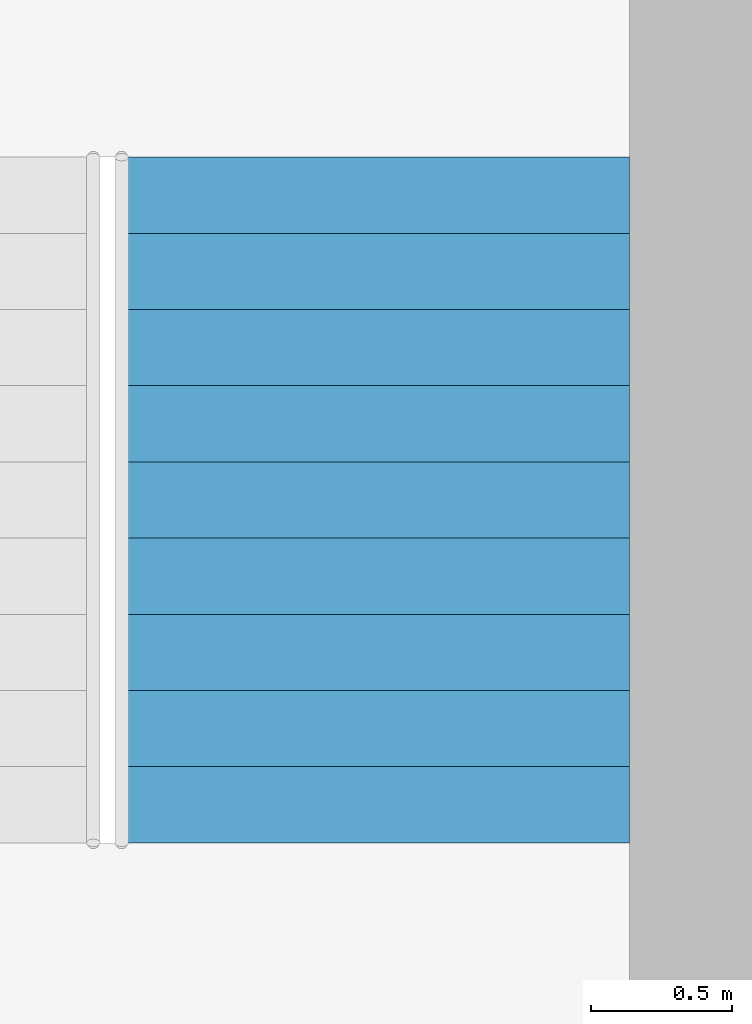
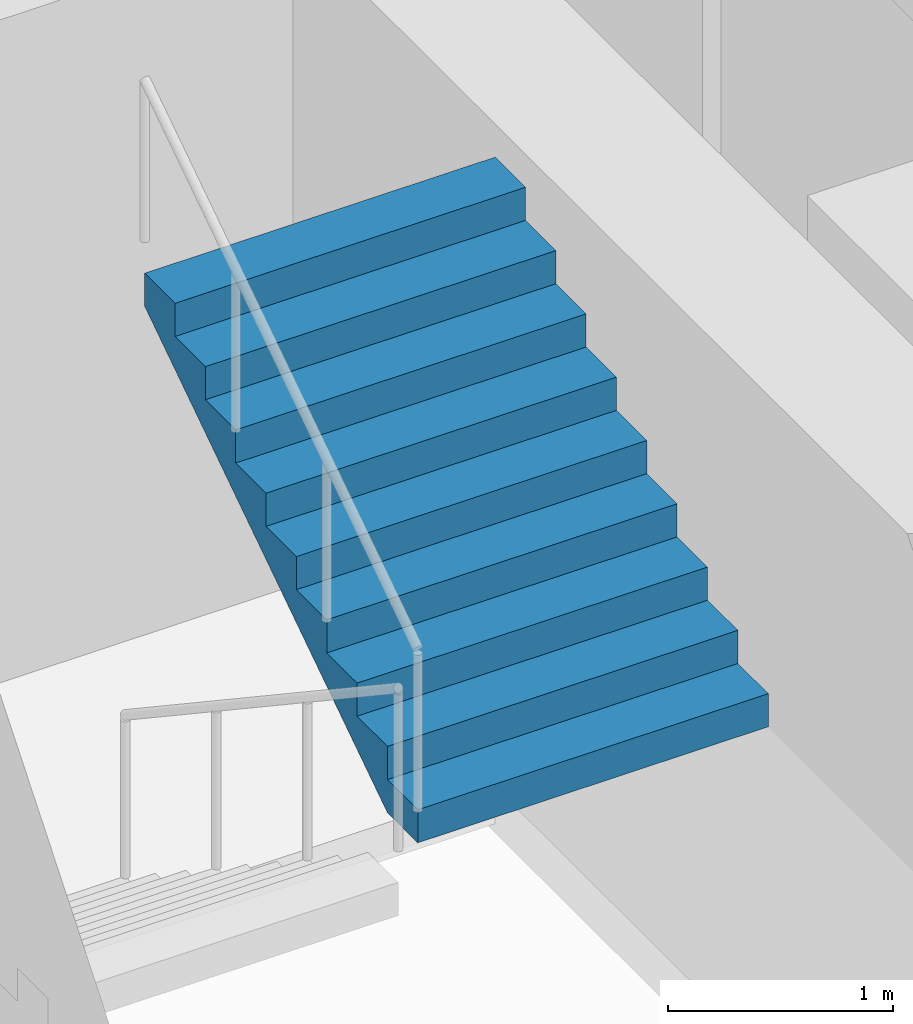
# One storey, part 20 of 21: 1 stair flight, 1 element without a shape of its own.
"""IFC4 building model written with IfcOpenShell, lengths in metres."""

from ifc_helpers import new_model, si_unit, direction, frame, origin, place, context, subcontext, project, spatial, polyline, outline, extrude, material, type_object, element, aggregate, save


model = new_model("IFC4")

# Units and contexts
model_context = context("Model", 3, precision=1e-05, world=origin(), true_north=direction((0.0, 1.0)))
body_context = subcontext(model_context, "Body", "Model", "MODEL_VIEW")
ifc_project = project(units=[si_unit("LENGTHUNIT", "METRE"), si_unit("AREAUNIT", "SQUARE_METRE"), si_unit("VOLUMEUNIT", "CUBIC_METRE"), si_unit("PLANEANGLEUNIT", "RADIAN"), si_unit("MASSUNIT", "GRAM", prefix="KILO")], contexts=[model_context])

# Site, building, storey
site_placement = place(None, origin())
site = spatial("IfcSite", under=ifc_project, at=site_placement, CompositionType="ELEMENT")
building_placement = place(site_placement, origin())
building = spatial("IfcBuilding", under=site, at=building_placement, Name="Cleftline Residences", CompositionType="ELEMENT")
storey_placement = place(building_placement, frame((0.0, 0.0, 128.60009765625)))
storey = spatial("IfcBuildingStorey", under=building, at=storey_placement, Name="L33", CompositionType="ELEMENT", Elevation=128.60009765625)

# Stair, stair flight
ifc_material_1 = material(Name="Concrete B45, stone treads", Category="masonry")
stair_type = type_object("IfcStairType", Name="STAIR E 1800 WIDE 180 RISER", PredefinedType="HALF_TURN_STAIR", material=ifc_material_1)
stair_placement = place(storey_placement, origin())
stair = element("IfcStair", 1, at=stair_placement, inside=storey, type_object=stair_type, Name="Stair E L33", PredefinedType="HALF_TURN_STAIR")
ifc_material_2 = material(Name="Concrete B45", Category="concrete")
stair_flight_type = type_object("IfcStairFlightType", Name="STAIR E FLIGHT 1800X180", PredefinedType="STRAIGHT", material=ifc_material_2)
stair_flight_placement = place(storey_placement, frame((62.824951171875, 23.7451171875, 1.7998046875), z_axis=(0.0, 0.0, 1.0), x_axis=(0.0, 1.0, 0.0)))
stair_flight = element("IfcStairFlight", 2, at=stair_flight_placement, type_object=stair_flight_type, Name="ST-E flight 2", NumberOfRisers=10, NumberOfTreads=9, PredefinedType="STRAIGHT", RiserHeight=0.18, TreadLength=0.27, context=body_context, shape_type="SweptSolid", body=[
    extrude(outline(polyline([(0.0, 0.0), (0.0, 0.013916015625), (0.0, 0.027587890625), (0.0, 0.04150390625), (0.0, 0.055419921875), (0.0, 0.0693359375), (0.0, 0.0830078125), (0.0, 0.096923828125), (0.0, 0.11083984375), (0.0, 0.12451171875), (0.0, 0.138427734375), (0.0, 0.15234375), (0.0, 0.166259765625), (0.0, 0.179931640625), (0.27001953125, 0.179931640625), (0.27001953125, 0.360107421875), (0.5400390625, 0.360107421875), (0.5400390625, 0.5400390625), (0.81005859375, 0.5400390625), (0.81005859375, 0.719970703125), (1.080078125, 0.719970703125), (1.080078125, 0.89990234375), (1.35009765625, 0.89990234375), (1.35009765625, 1.080078125), (1.6201171875, 1.080078125), (1.6201171875, 1.260009765625), (1.889892578125, 1.260009765625), (1.889892578125, 1.43994140625), (2.159912109375, 1.43994140625), (2.159912109375, 1.6201171875), (2.429931640625, 1.6201171875), (2.429931640625, 1.800048828125), (2.429931640625, 1.772216796875), (2.429931640625, 1.74462890625), (2.429931640625, 1.716796875), (2.429931640625, 1.689208984375), (2.429931640625, 1.661376953125), (2.429931640625, 1.6337890625), (2.429931640625, 1.60595703125), (2.429931640625, 1.578369140625), (2.429931640625, 1.550537109375), (2.429931640625, 1.52294921875), (2.429931640625, 1.495361328125), (2.429931640625, 1.467529296875), (2.429931640625, 1.43994140625), (0.270263671875, 0.0), (0.0, 0.0)])), frame((0.0, 0.89990234375, 0.0), z_axis=(0.0, -1.0, 0.0), x_axis=(1.0, 0.0, 0.0)), (0.0, 0.0, 1.0), 1.800048828125),
])
aggregate(stair, [stair_flight])

save(model, "model.ifc")
